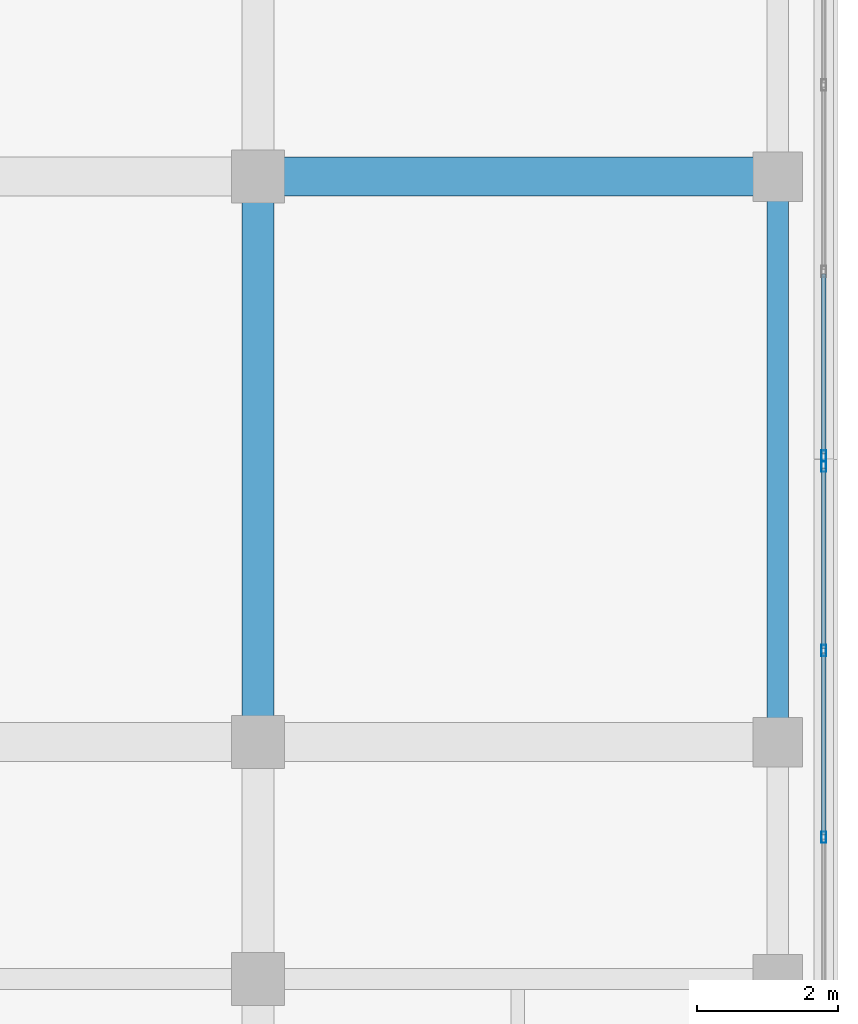
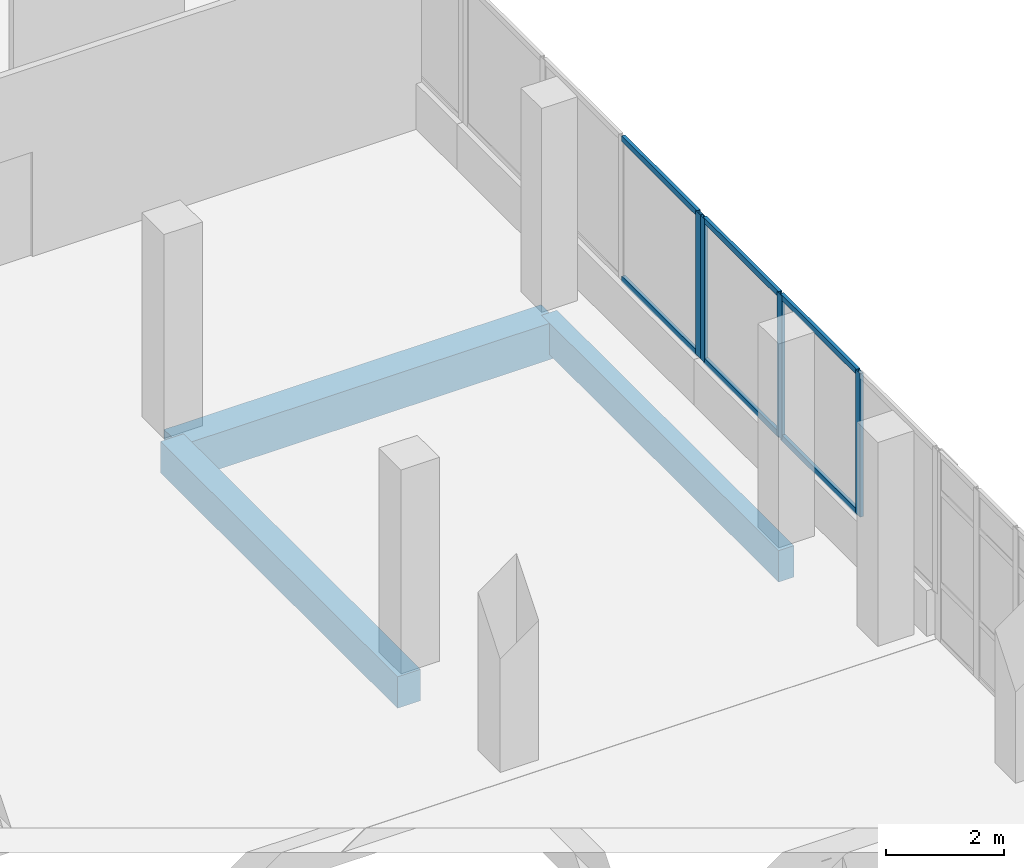
# One storey, part 133 of 184: 10 members, 3 beams, 2 elements without a shape of their own.
"""IFC4 building model written with IfcOpenShell, lengths in metres."""

from ifc_helpers import new_model, si_unit, direction, frame, origin, origin_2d, place, context, subcontext, project, spatial, rectangle, hollow_rectangle, extrude, material, material_profile, profile_set, type_object, element, aggregate, save


model = new_model("IFC4")

# Units and contexts
model_context = context("Model", 3, precision=1e-05, world=origin(), true_north=direction((0.0, 1.0)))
body_context = subcontext(model_context, "Body", "Model", "MODEL_VIEW")
ifc_project = project(units=[si_unit("LENGTHUNIT", "METRE"), si_unit("AREAUNIT", "SQUARE_METRE"), si_unit("VOLUMEUNIT", "CUBIC_METRE"), si_unit("PLANEANGLEUNIT", "RADIAN"), si_unit("MASSUNIT", "GRAM", prefix="KILO")], contexts=[model_context])

# Site, building, storey
site_placement = place(None, origin())
site = spatial("IfcSite", under=ifc_project, at=site_placement, CompositionType="ELEMENT")
building_placement = place(site_placement, origin())
building = spatial("IfcBuilding", under=site, at=building_placement, Name="Selatvlak General Hospital", CompositionType="ELEMENT")
storey_placement = place(building_placement, frame((0.0, 0.0, 15.0)))
storey = spatial("IfcBuildingStorey", under=building, at=storey_placement, Name="L03", CompositionType="ELEMENT", Elevation=15.0)

# Beams
ifc_material_1 = material(Name="Concrete C40/50", Category="concrete")
ifc_material_profile_1 = material_profile(ifc_material_1, rectangle(XDim=0.550048828125, YDim=0.75, at=origin_2d()), Name="RC-BM 550x750")
ifc_profile_set_1 = profile_set([ifc_material_profile_1], Name="Concrete C40/50")
beam_type_1 = type_object("IfcBeamType", Name="BM-G02", PredefinedType="BEAM", material=ifc_profile_set_1)
beam_1_placement = place(storey_placement, frame((174.0, 100.0, -0.715087890625), z_axis=(1.0, 0.0, 0.0), x_axis=(0.0, 1.0, 0.0)))
element("IfcBeam", 1, at=beam_1_placement, inside=storey, type_object=beam_type_1, Name="Beam BMR-L03-1242", PredefinedType="BEAM", context=body_context, shape_type="SweptSolid", body=[
    extrude(rectangle(XDim=0.550048828125, YDim=0.75, at=origin_2d()), origin(), (0.0, 0.0, 1.0), 7.35009765625),
])
ifc_material_profile_2 = material_profile(ifc_material_1, rectangle(XDim=0.449951171875, YDim=0.64990234375, at=origin_2d()), Name="RC-BM 450x650")
ifc_profile_set_2 = profile_set([ifc_material_profile_2], Name="Concrete C40/50")
beam_type_2 = type_object("IfcBeamType", Name="BM-G04", PredefinedType="BEAM", material=ifc_profile_set_2)
beam_2_placement = place(storey_placement, frame((174.0, 92.0, -0.6650390625), z_axis=(0.0, 1.0, 0.0), x_axis=(-1.0, 0.0, 0.0)))
element("IfcBeam", 2, at=beam_2_placement, inside=storey, type_object=beam_type_2, Name="Beam BMR-L03-1415", PredefinedType="BEAM", context=body_context, shape_type="SweptSolid", body=[
    extrude(rectangle(XDim=0.449951171875, YDim=0.64990234375, at=origin_2d()), origin(), (0.0, 0.0, 1.0), 8.0),
])
ifc_material_profile_3 = material_profile(ifc_material_1, rectangle(XDim=0.300048828125, YDim=0.64990234375, at=origin_2d()), Name="RC-SP 300x650")
ifc_profile_set_3 = profile_set([ifc_material_profile_3], Name="Concrete C40/50")
beam_type_3 = type_object("IfcBeamType", Name="BM-SP1", PredefinedType="SPANDREL", material=ifc_profile_set_3)
beam_3_placement = place(storey_placement, frame((181.35009765625, 92.0, -0.6650390625), z_axis=(0.0, 1.0, 0.0), x_axis=(-1.0, 0.0, 0.0)))
element("IfcBeam", 3, at=beam_3_placement, inside=storey, type_object=beam_type_3, Name="Beam BMR-L03-1425", PredefinedType="SPANDREL", context=body_context, shape_type="SweptSolid", body=[
    extrude(rectangle(XDim=0.300048828125, YDim=0.64990234375, at=origin_2d()), origin(), (0.0, 0.0, 1.0), 8.0),
])

# Curtain wall, member
ifc_material_2 = material(Name="Solar-control Low-E double glazing", Category="glass")
curtain_wall_type_1 = type_object("IfcCurtainWallType", Name="CW-CW-01", PredefinedType="USERDEFINED", material=ifc_material_2)
curtain_wall_1_placement = place(storey_placement, origin())
curtain_wall_1 = element("IfcCurtainWall", 4, at=curtain_wall_1_placement, inside=storey, type_object=curtain_wall_type_1, Name="Glazed facade curtain wall CW-L03-0386", ObjectType="UNITISED CURTAIN WALL", PredefinedType="USERDEFINED")
ifc_material_3 = material(Name="Dark anodised aluminium mullion", Category="aluminium")
ifc_material_profile_4 = material_profile(ifc_material_3, hollow_rectangle(XDim=0.06494140625, YDim=0.159912109375, WallThickness=0.00390625, at=origin_2d()), Name="AL-MUL 65x160x4")
ifc_profile_set_4 = profile_set([ifc_material_profile_4], Name="Dark anodised aluminium mullion")
member_type_1 = type_object("IfcMemberType", Name="CWM-01", PredefinedType="MULLION", material=ifc_profile_set_4)
member_1_placement = place(storey_placement, frame((182.0, 96.048583984375, 0.93994140625), z_axis=(0.0, 0.0, 1.0), x_axis=(1.0, 0.0, 0.0)))
member_1 = element("IfcMember", 5, at=member_1_placement, type_object=member_type_1, Name="CW-01 mullion 4", PredefinedType="MULLION", context=body_context, shape_type="SweptSolid", body=[
    extrude(hollow_rectangle(XDim=0.06494140625, YDim=0.159912109375, WallThickness=0.00390625, at=origin_2d()), origin(), (0.0, 0.0, 1.0), 2.955078125),
])

# Curtain wall, members
curtain_wall_type_2 = type_object("IfcCurtainWallType", Name="CW-CW-02", PredefinedType="USERDEFINED", material=ifc_material_2)
curtain_wall_2_placement = place(storey_placement, origin())
curtain_wall_2 = element("IfcCurtainWall", 6, at=curtain_wall_2_placement, inside=storey, type_object=curtain_wall_type_2, Name="Glazed facade curtain wall CW-L03-0387", ObjectType="UNITISED CURTAIN WALL", PredefinedType="USERDEFINED")
member_2_placement = place(storey_placement, frame((182.0, 95.903564453125, 0.93994140625), z_axis=(0.0, 0.0, 1.0), x_axis=(1.0, 0.0, 0.0)))
member_2 = element("IfcMember", 7, at=member_2_placement, type_object=member_type_1, Name="CW-02 mullion 1", PredefinedType="MULLION", context=body_context, shape_type="SweptSolid", body=[
    extrude(hollow_rectangle(XDim=0.06494140625, YDim=0.159912109375, WallThickness=0.00390625, at=origin_2d()), origin(), (0.0, 0.0, 1.0), 2.955078125),
])
member_3_placement = place(storey_placement, frame((182.0, 93.2958984375, 0.93994140625), z_axis=(0.0, 0.0, 1.0), x_axis=(1.0, 0.0, 0.0)))
member_3 = element("IfcMember", 8, at=member_3_placement, type_object=member_type_1, Name="CW-02 mullion 2", PredefinedType="MULLION", context=body_context, shape_type="SweptSolid", body=[
    extrude(hollow_rectangle(XDim=0.06494140625, YDim=0.159912109375, WallThickness=0.00390625, at=origin_2d()), origin(), (0.0, 0.0, 1.0), 2.955078125),
])
member_4_placement = place(storey_placement, frame((182.0, 90.656005859375, 0.93994140625), z_axis=(0.0, 0.0, 1.0), x_axis=(1.0, 0.0, 0.0)))
member_4 = element("IfcMember", 9, at=member_4_placement, type_object=member_type_1, Name="CW-02 mullion 3", PredefinedType="MULLION", context=body_context, shape_type="SweptSolid", body=[
    extrude(hollow_rectangle(XDim=0.06494140625, YDim=0.159912109375, WallThickness=0.00390625, at=origin_2d()), origin(), (0.0, 0.0, 1.0), 2.955078125),
])

# Member
ifc_material_profile_5 = material_profile(ifc_material_3, hollow_rectangle(XDim=0.06494140625, YDim=0.1201171875, WallThickness=0.00390625, at=origin_2d()), Name="AL-TRN 65x120x4")
ifc_profile_set_5 = profile_set([ifc_material_profile_5], Name="Dark anodised aluminium mullion")
member_type_2 = type_object("IfcMemberType", Name="CWT-01", PredefinedType="USERDEFINED", material=ifc_profile_set_5)
member_5_placement = place(storey_placement, frame((182.0, 98.62353515625, 0.972412109375), z_axis=(0.0, -1.0, 0.0), x_axis=(1.0, 0.0, 0.0)))
member_5 = element("IfcMember", 10, at=member_5_placement, type_object=member_type_2, Name="CW-01 transom 3.1", ObjectType="TRANSOM", PredefinedType="USERDEFINED", context=body_context, shape_type="SweptSolid", body=[
    extrude(hollow_rectangle(XDim=0.06494140625, YDim=0.1201171875, WallThickness=0.00390625, at=origin_2d()), origin(), (0.0, 0.0, 1.0), 2.54248046875),
])

member_6_placement = place(storey_placement, frame((182.0, 98.62353515625, 3.862548828125), z_axis=(0.0, -1.0, 0.0), x_axis=(1.0, 0.0, 0.0)))
member_6 = element("IfcMember", 11, at=member_6_placement, type_object=member_type_2, Name="CW-01 transom 3.2", ObjectType="TRANSOM", PredefinedType="USERDEFINED", context=body_context, shape_type="SweptSolid", body=[
    extrude(hollow_rectangle(XDim=0.06494140625, YDim=0.1201171875, WallThickness=0.00390625, at=origin_2d()), origin(), (0.0, 0.0, 1.0), 2.54248046875),
])

aggregate(curtain_wall_1, [member_1, member_5, member_6])

member_7_placement = place(storey_placement, frame((182.0, 95.87109375, 0.972412109375), z_axis=(0.0, -1.0, 0.0), x_axis=(1.0, 0.0, 0.0)))
member_7 = element("IfcMember", 12, at=member_7_placement, type_object=member_type_2, Name="CW-02 transom 1.1", ObjectType="TRANSOM", PredefinedType="USERDEFINED", context=body_context, shape_type="SweptSolid", body=[
    extrude(hollow_rectangle(XDim=0.06494140625, YDim=0.1201171875, WallThickness=0.00390625, at=origin_2d()), origin(), (0.0, 0.0, 1.0), 2.54248046875),
])

member_8_placement = place(storey_placement, frame((182.0, 95.87109375, 3.862548828125), z_axis=(0.0, -1.0, 0.0), x_axis=(1.0, 0.0, 0.0)))
member_8 = element("IfcMember", 13, at=member_8_placement, type_object=member_type_2, Name="CW-02 transom 1.2", ObjectType="TRANSOM", PredefinedType="USERDEFINED", context=body_context, shape_type="SweptSolid", body=[
    extrude(hollow_rectangle(XDim=0.06494140625, YDim=0.1201171875, WallThickness=0.00390625, at=origin_2d()), origin(), (0.0, 0.0, 1.0), 2.54248046875),
])

member_9_placement = place(storey_placement, frame((182.0, 93.263427734375, 0.972412109375), z_axis=(0.0, -1.0, 0.0), x_axis=(1.0, 0.0, 0.0)))
member_9 = element("IfcMember", 14, at=member_9_placement, type_object=member_type_2, Name="CW-02 transom 2.1", ObjectType="TRANSOM", PredefinedType="USERDEFINED", context=body_context, shape_type="SweptSolid", body=[
    extrude(hollow_rectangle(XDim=0.06494140625, YDim=0.1201171875, WallThickness=0.00390625, at=origin_2d()), origin(), (0.0, 0.0, 1.0), 2.574951171875),
])

member_10_placement = place(storey_placement, frame((182.0, 93.263427734375, 3.862548828125), z_axis=(0.0, -1.0, 0.0), x_axis=(1.0, 0.0, 0.0)))
member_10 = element("IfcMember", 15, at=member_10_placement, type_object=member_type_2, Name="CW-02 transom 2.2", ObjectType="TRANSOM", PredefinedType="USERDEFINED", context=body_context, shape_type="SweptSolid", body=[
    extrude(hollow_rectangle(XDim=0.06494140625, YDim=0.1201171875, WallThickness=0.00390625, at=origin_2d()), origin(), (0.0, 0.0, 1.0), 2.574951171875),
])

aggregate(curtain_wall_2, [member_2, member_3, member_4, member_7, member_8, member_9, member_10])

save(model, "model.ifc")
